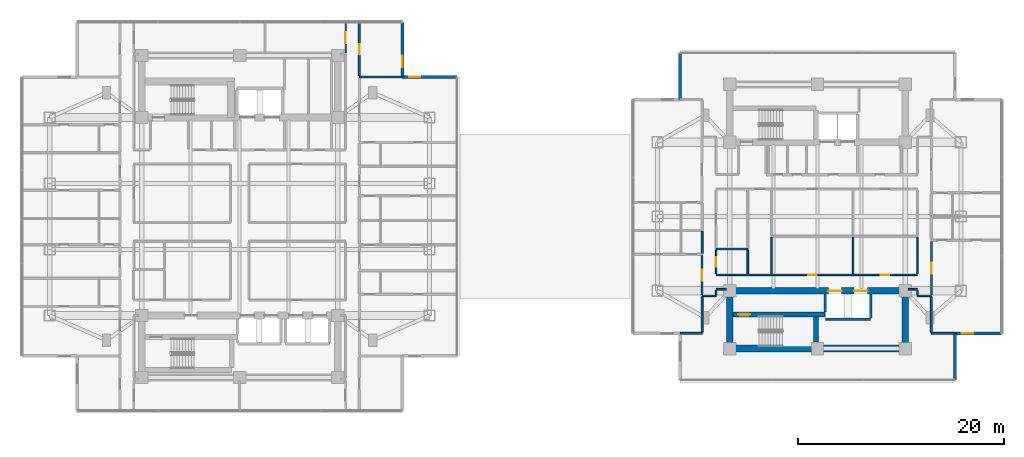
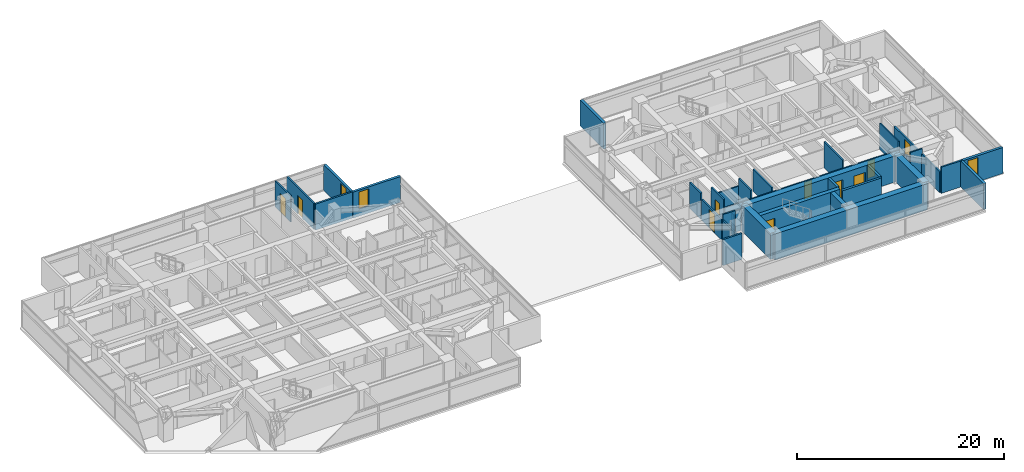
# One storey, part 17 of 26: 37 walls, 10 doors, 3 windows, 13 openings.
"""IFC4 building model written with IfcOpenShell, lengths in metres."""

import ifcopenshell
import ifcopenshell.guid

model = None  # the IFC model being written
_history = None  # IfcOwnerHistory: only IFC2X3 demands one
_inside = {}  # id of a spatial element -> (the spatial element, [elements in it])
_under = {}  # id of a project, library or spatial element -> (it, [spatial elements below it])
_declared = {}  # id of a project -> (the project, [libraries it declares])
_typed = {}  # id of a type object -> (the type object, [elements of that type])
_made_of = {}  # id of a material, layer set ... -> (it, [elements and type objects made of it])


def new_model(schema):
    """Start an empty IFC model of exactly this schema.

    Asked for "IFC4X3", IfcOpenShell would pick the latest addendum, in which some entities
    have other attributes; the version numbers below select the first issue.
    IFC2X3 requires an IfcOwnerHistory on every rooted entity: one is made here for all.
    """
    global model, _history
    if schema == "IFC4X3":
        model = ifcopenshell.file(schema_version=(4, 3, 0, 0))
    else:
        model = ifcopenshell.file(schema=schema)
    _inside.clear()
    _under.clear()
    _declared.clear()
    _typed.clear()
    _made_of.clear()
    _history = None
    if model.schema == "IFC2X3":
        org = make("IfcOrganization", Name="unknown")
        user = make(
            "IfcPersonAndOrganization",
            ThePerson=make("IfcPerson", FamilyName="unknown"),
            TheOrganization=org,
        )
        app = make(
            "IfcApplication",
            ApplicationDeveloper=org,
            Version="unknown",
            ApplicationFullName="unknown",
            ApplicationIdentifier="unknown",
        )
        _history = make(
            "IfcOwnerHistory",
            OwningUser=user,
            OwningApplication=app,
            ChangeAction="ADDED",
            CreationDate=0,
        )
    return model


def make(cls, **values):
    """One entity of the class cls with the attributes given. An attribute that is None is left unset."""
    return model.create_entity(
        cls, **{name: value for name, value in values.items() if value is not None}
    )


def rooted(cls, **values):
    """An entity with a GlobalId (a new one), such as an element, a storey or a relation."""
    return make(cls, GlobalId=ifcopenshell.guid.new(), OwnerHistory=_history, **values)


def si_unit(unit_type, name, prefix=None):
    """IfcSIUnit, for example si_unit("LENGTHUNIT", "METRE", prefix="MILLI")."""
    return make("IfcSIUnit", UnitType=unit_type, Prefix=prefix, Name=name)


def assignment(units):
    """IfcUnitAssignment: the units of a project."""
    return None if units is None else make("IfcUnitAssignment", Units=units)


def point(xyz):
    """IfcCartesianPoint."""
    return None if xyz is None else make("IfcCartesianPoint", Coordinates=xyz)


def direction(xyz):
    """IfcDirection."""
    return None if xyz is None else make("IfcDirection", DirectionRatios=xyz)


def frame(location, z_axis=None, x_axis=None):
    """IfcAxis2Placement3D, a coordinate frame: its origin and axes. An axis left out is left unset."""
    return make(
        "IfcAxis2Placement3D",
        Location=point(location),
        Axis=direction(z_axis),
        RefDirection=direction(x_axis),
    )


def frame_2d(location, x_axis=None):
    """IfcAxis2Placement2D, a coordinate frame in the plane: its origin and x axis."""
    return make(
        "IfcAxis2Placement2D", Location=point(location), RefDirection=direction(x_axis)
    )


def origin():
    """The frame at (0, 0, 0) with its axes left unset."""
    return frame((0.0, 0.0, 0.0))


def place(relative_to, where):
    """IfcLocalPlacement: puts the frame where relative to a parent placement (None: the world)."""
    return make(
        "IfcLocalPlacement", PlacementRelTo=relative_to, RelativePlacement=where
    )


def context(
    kind, dimensions, precision=None, world=None, true_north=None, identifier=None
):
    """IfcGeometricRepresentationContext, for example the 3D "Model" context."""
    return make(
        "IfcGeometricRepresentationContext",
        ContextIdentifier=identifier,
        ContextType=kind,
        CoordinateSpaceDimension=dimensions,
        Precision=precision,
        WorldCoordinateSystem=world,
        TrueNorth=true_north,
    )


def subcontext(parent, identifier, kind, view, scale=None):
    """IfcGeometricRepresentationSubContext, for example "Body" below "Model"."""
    return make(
        "IfcGeometricRepresentationSubContext",
        ContextIdentifier=identifier,
        ContextType=kind,
        ParentContext=parent,
        TargetScale=scale,
        TargetView=view,
    )


def project(units=None, contexts=None):
    """IfcProject with its units and contexts."""
    return rooted(
        "IfcProject",
        Name="project",
        RepresentationContexts=contexts,
        UnitsInContext=assignment(units),
    )


def spatial(cls, under=None, at=None, **own):
    """A site, building, storey or space (cls), placed at a placement, below another one or the project."""
    s = rooted(cls, ObjectPlacement=at, **own)
    if under is not None:
        _under.setdefault(under.id(), (under, []))[1].append(s)
    return s


def profile(cls, at=None, kind="AREA", **sizes):
    """A parametric profile (cls). Its sizes go by their IFC names, for example OverallWidth=200.0."""
    return make(cls, ProfileType=kind, Position=at, **sizes)


def rectangle(**sizes):
    """IfcRectangleProfileDef."""
    return profile("IfcRectangleProfileDef", **sizes)


def extrude(swept, where, along, depth):
    """IfcExtrudedAreaSolid: the profile swept, set in the frame where, extruded along a direction by depth."""
    return make(
        "IfcExtrudedAreaSolid",
        SweptArea=swept,
        Position=where,
        ExtrudedDirection=direction(along),
        Depth=depth,
    )


def shape(context_of_items, identifier, shape_type, items):
    """IfcShapeRepresentation: the items that make up one representation, for example the "Body"."""
    return make(
        "IfcShapeRepresentation",
        ContextOfItems=context_of_items,
        RepresentationIdentifier=identifier,
        RepresentationType=shape_type,
        Items=items,
    )


def material(Name=None, Category=None):
    """IfcMaterial."""
    return make("IfcMaterial", Name=Name, Category=Category)


def layer(
    of_material, thickness, ventilated=None, Name=None, Category=None, Priority=None
):
    """IfcMaterialLayer: one layer of a wall or slab, of a material (None: an air gap)."""
    return make(
        "IfcMaterialLayer",
        Material=of_material,
        LayerThickness=thickness,
        IsVentilated=ventilated,
        Name=Name,
        Category=Category,
        Priority=Priority,
    )


def layer_set(layers, Name=None):
    """IfcMaterialLayerSet."""
    return make("IfcMaterialLayerSet", MaterialLayers=layers, LayerSetName=Name)


def made_of(thing, what):
    """Note that an element or type object is made of a material, layer set ...; save() writes the relation."""
    if what is not None:
        _made_of.setdefault(what.id(), (what, []))[1].append(thing)
    return thing


def type_object(cls, material=None, **own):
    """A type object (cls), such as IfcWallType, which elements share."""
    return made_of(rooted(cls, **own), material)


def element(
    cls,
    number,
    at=None,
    inside=None,
    cuts=None,
    type_object=None,
    material=None,
    context=None,
    identifier="Body",
    shape_type=None,
    held_by="IfcProductDefinitionShape",
    body=None,
    shapes=None,
    **own,
):
    """One element of the class cls, such as IfcWall. Its Tag is "e" and its number.

    at: its placement. inside: the storey or other place that contains it. cuts: it is an
    opening in that element (IfcRelVoidsElement). A single representation is given by context,
    identifier, shape_type and body (its items); several are given by shapes. held_by: the class
    of the entity that holds the representations. save() writes the other relations.
    """
    e = rooted(cls, Tag="e%d" % number, ObjectPlacement=at, **own)
    if body is not None:
        shapes = [shape(context, identifier, shape_type, body)]
    if shapes is not None:
        e.Representation = make(held_by, Representations=shapes)
    if inside is not None:
        _inside.setdefault(inside.id(), (inside, []))[1].append(e)
    if cuts is not None:
        rooted(
            "IfcRelVoidsElement", RelatingBuildingElement=cuts, RelatedOpeningElement=e
        )
    if type_object is not None:
        _typed.setdefault(type_object.id(), (type_object, []))[1].append(e)
    return made_of(e, material)


def fill(opening, filler):
    """IfcRelFillsElement: the door or window that sits in an opening."""
    return rooted(
        "IfcRelFillsElement",
        RelatingOpeningElement=opening,
        RelatedBuildingElement=filler,
    )


def aggregate(whole, parts):
    """IfcRelAggregates: a whole, such as a stair, and the parts it consists of."""
    return rooted("IfcRelAggregates", RelatingObject=whole, RelatedObjects=parts)


def save(model, path):
    """Write the relations noted so far, then the file.

    IfcRelAggregates (storeys below a building ...), IfcRelContainedInSpatialStructure (elements
    in a storey), IfcRelDefinesByType, IfcRelAssociatesMaterial and IfcRelDeclares: one each for
    every whole, place, type object, material and project.
    """
    for whole, parts in _under.values():
        aggregate(whole, parts)
    for where, things in _inside.values():
        rooted(
            "IfcRelContainedInSpatialStructure",
            RelatedElements=things,
            RelatingStructure=where,
        )
    for kind, things in _typed.values():
        rooted("IfcRelDefinesByType", RelatedObjects=things, RelatingType=kind)
    for what, things in _made_of.values():
        rooted("IfcRelAssociatesMaterial", RelatedObjects=things, RelatingMaterial=what)
    for by, libraries in _declared.values():
        rooted("IfcRelDeclares", RelatingContext=by, RelatedDefinitions=libraries)
    model.write(path)


model = new_model("IFC4")

# Units and contexts
model_context = context("Model", 3, precision=1e-05, world=origin(), true_north=direction((0.0, 1.0)))
body_context = subcontext(model_context, "Body", "Model", "MODEL_VIEW")
ifc_project = project(units=[si_unit("LENGTHUNIT", "METRE"), si_unit("AREAUNIT", "SQUARE_METRE"), si_unit("VOLUMEUNIT", "CUBIC_METRE"), si_unit("PLANEANGLEUNIT", "RADIAN"), si_unit("MASSUNIT", "GRAM", prefix="KILO")], contexts=[model_context])

# Site, building, storey
site_placement = place(None, origin())
site = spatial("IfcSite", under=ifc_project, at=site_placement, CompositionType="ELEMENT")
building_placement = place(site_placement, origin())
building = spatial("IfcBuilding", under=site, at=building_placement, Name="Mirazonda Arch Towers", CompositionType="ELEMENT")
storey_placement = place(building_placement, frame((0.0, 0.0, 98.300048828125)))
storey = spatial("IfcBuildingStorey", under=building, at=storey_placement, Name="L27", CompositionType="ELEMENT", Elevation=98.300048828125)

# Wall, opening, door
ifc_material_1 = material(Name="Concrete C50/60", Category="concrete")
ifc_layer_1 = layer(ifc_material_1, 0.449951171875, Name="WALL-CORE-450")
ifc_layer_set_1 = layer_set([ifc_layer_1], Name="Concrete C50/60")
wall_type_1 = type_object("IfcWallType", Name="WALL-CORE-450", PredefinedType="SHEAR", material=ifc_layer_set_1)
wall_1_placement = place(storey_placement, frame((68.320068359375, 18.5, 0.0), z_axis=(0.0, 0.0, 1.0), x_axis=(1.0, 0.0, 0.0)))
wall_1 = element("IfcWall", 1, at=wall_1_placement, inside=storey, type_object=wall_type_1, Name="L27 Stair Core Shear Wall 014", PredefinedType="SHEAR", context=body_context, shape_type="SweptSolid", body=[
    extrude(rectangle(XDim=8.89990234375, YDim=0.449951171875, at=frame_2d((4.449951171875, 0.0))), origin(), (0.0, 0.0, 1.0), 3.079833984375),
])
opening_1_placement = place(wall_1_placement, frame((0.4951171875, 0.0, 0.0)))
opening_1 = element("IfcOpeningElement", 2, at=opening_1_placement, cuts=wall_1, Name="Opening DR-135", PredefinedType="OPENING", context=body_context, shape_type="SweptSolid", body=[
    extrude(rectangle(XDim=1.14990234375, YDim=2.199951171875, at=frame_2d((0.574951171875, 1.10009765625))), frame((0.0, 0.23486328125, 0.0), z_axis=(0.0, -1.0, 0.0), x_axis=(1.0, 0.0, 0.0)), (0.0, 0.0, 1.0), 0.469970703125),
])
ifc_material_2 = material(Name="Architectural Brushed Steel S355", Category="steel")
door_type_1 = type_object("IfcDoorType", Name="DOOR-STAIR-FD90-1150", OperationType="NOTDEFINED", PredefinedType="DOOR", material=ifc_material_2)
door_1_placement = place(opening_1_placement, origin())
door_1 = element("IfcDoor", 3, at=door_1_placement, inside=storey, type_object=door_type_1, Name="L27 East Protected Stair South Door", OperationType="SINGLE_SWING_LEFT", OverallHeight=2.199951171875, OverallWidth=1.14990234375, PredefinedType="DOOR", context=body_context, shape_type="SweptSolid", body=[
    extrude(rectangle(XDim=1.14990234375, YDim=2.199951171875, at=frame_2d((0.574951171875, 1.10009765625))), frame((0.0, 0.02490234375, 0.0), z_axis=(0.0, -1.0, 0.0), x_axis=(1.0, 0.0, 0.0)), (0.0, 0.0, 1.0), 0.050048828125),
])
fill(opening_1, door_1)

# Walls
wall_2_placement = place(storey_placement, frame((76.360107421875, 15.81494140625, 0.0), z_axis=(0.0, 0.0, 1.0), x_axis=(0.0, 1.0, 0.0)))
element("IfcWall", 4, at=wall_2_placement, inside=storey, type_object=wall_type_1, Name="L27 Stair Core Shear Wall 155", PredefinedType="SHEAR", context=body_context, shape_type="SweptSolid", body=[
    extrude(rectangle(XDim=2.449951171875, YDim=0.449951171875, at=frame_2d((1.22509765625, 0.0))), origin(), (0.0, 0.0, 1.0), 3.079833984375),
])
ifc_material_3 = material(Name="Concrete C60/75", Category="concrete")
ifc_layer_2 = layer(ifc_material_3, 0.64990234375, Name="WALL-CORE-650")
ifc_layer_set_2 = layer_set([ifc_layer_2], Name="Concrete C60/75")
wall_type_2 = type_object("IfcWallType", Name="WALL-CORE-650", PredefinedType="SHEAR", material=ifc_layer_set_2)
wall_3_placement = place(storey_placement, frame((68.0, 15.199951171875, 0.0), z_axis=(0.0, 0.0, 1.0), x_axis=(1.0, 0.0, 0.0)))
element("IfcWall", 5, at=wall_3_placement, inside=storey, type_object=wall_type_2, Name="L27 T2S-S Core Shear Wall", PredefinedType="SHEAR", context=body_context, shape_type="SweptSolid", body=[
    extrude(rectangle(XDim=17.0, YDim=0.64990234375, at=frame_2d((8.5, 0.0))), origin(), (0.0, 0.0, 1.0), 3.079833984375),
])
for number, where, z_axis, x_axis, name in (
    (6, (68.0, 15.199951171875, 0.0), (0.0, 0.0, 1.0), (0.0, 1.0, 0.0), "L27 T2S-W Core Shear Wall"),
    (7, (85.0, 15.199951171875, 0.0), (0.0, 0.0, 1.0), (0.0, 1.0, 0.0), "L27 T2S-E Core Shear Wall"),
):
    element("IfcWall", number, at=place(storey_placement, frame(where, z_axis=z_axis, x_axis=x_axis)), inside=storey, type_object=wall_type_2, Name=name, PredefinedType="SHEAR", context=body_context, shape_type="SweptSolid", body=[
        extrude(rectangle(XDim=5.60009765625, YDim=0.64990234375, at=frame_2d((2.800048828125, 0.0))), origin(), (0.0, 0.0, 1.0), 3.079833984375),
    ])

# Wall, openings, doors
wall_4_placement = place(storey_placement, frame((68.0, 20.800048828125, 0.0), z_axis=(0.0, 0.0, 1.0), x_axis=(1.0, 0.0, 0.0)))
wall_4 = element("IfcWall", 8, at=wall_4_placement, inside=storey, type_object=wall_type_2, Name="L27 T2S-N Core Shear Wall", PredefinedType="SHEAR", context=body_context, shape_type="SweptSolid", body=[
    extrude(rectangle(XDim=17.0, YDim=0.64990234375, at=frame_2d((8.5, 0.0))), origin(), (0.0, 0.0, 1.0), 3.079833984375),
])
opening_2_placement = place(wall_4_placement, frame((9.550048828125, 0.0, 0.0)))
opening_2 = element("IfcOpeningElement", 9, at=opening_2_placement, cuts=wall_4, Name="Opening LD-111", PredefinedType="OPENING", context=body_context, shape_type="SweptSolid", body=[
    extrude(rectangle(XDim=1.300048828125, YDim=2.300048828125, at=frame_2d((0.64990234375, 1.14990234375))), frame((0.0, 0.3349609375, 0.0), z_axis=(0.0, -1.0, 0.0), x_axis=(1.0, 0.0, 0.0)), (0.0, 0.0, 1.0), 0.669921875),
])
opening_3_placement = place(wall_4_placement, frame((12.050048828125, 0.0, 0.0)))
opening_3 = element("IfcOpeningElement", 10, at=opening_3_placement, cuts=wall_4, Name="Opening LD-111", PredefinedType="OPENING", context=body_context, shape_type="SweptSolid", body=[
    extrude(rectangle(XDim=1.300048828125, YDim=2.300048828125, at=frame_2d((0.64990234375, 1.14990234375))), frame((0.0, 0.3349609375, 0.0), z_axis=(0.0, -1.0, 0.0), x_axis=(1.0, 0.0, 0.0)), (0.0, 0.0, 1.0), 0.669921875),
])
door_type_2 = type_object("IfcDoorType", Name="DOOR-LIFT-LAND-1300", OperationType="NOTDEFINED", PredefinedType="DOOR", material=ifc_material_2)
door_2_placement = place(opening_2_placement, origin())
door_2 = element("IfcDoor", 11, at=door_2_placement, inside=storey, type_object=door_type_2, Name="L27 Lift Landing Sliding Door PL-T2H1", OperationType="DOUBLE_DOOR_SLIDING", OverallHeight=2.300048828125, OverallWidth=1.300048828125, PredefinedType="DOOR", context=body_context, shape_type="SweptSolid", body=[
    extrude(rectangle(XDim=1.300048828125, YDim=2.300048828125, at=frame_2d((0.64990234375, 1.14990234375))), frame((0.0, 0.02490234375, 0.0), z_axis=(0.0, -1.0, 0.0), x_axis=(1.0, 0.0, 0.0)), (0.0, 0.0, 1.0), 0.050048828125),
])
fill(opening_2, door_2)
door_3_placement = place(opening_3_placement, origin())
door_3 = element("IfcDoor", 12, at=door_3_placement, inside=storey, type_object=door_type_2, Name="L27 Lift Landing Sliding Door PL-T2H2", OperationType="DOUBLE_DOOR_SLIDING", OverallHeight=2.300048828125, OverallWidth=1.300048828125, PredefinedType="DOOR", context=body_context, shape_type="SweptSolid", body=[
    extrude(rectangle(XDim=1.300048828125, YDim=2.300048828125, at=frame_2d((0.64990234375, 1.14990234375))), frame((0.0, 0.02490234375, 0.0), z_axis=(0.0, -1.0, 0.0), x_axis=(1.0, 0.0, 0.0)), (0.0, 0.0, 1.0), 0.050048828125),
])
fill(opening_3, door_3)

# Wall, opening, window
ifc_material_4 = material(Name="Precast Concrete C40/50", Category="concrete")
ifc_layer_3 = layer(ifc_material_4, 0.280029296875, Name="WALL-EXT-WALL-280")
ifc_layer_set_3 = layer_set([ifc_layer_3], Name="Precast Concrete C40/50")
wall_type_3 = type_object("IfcWallType", Name="WALL-EXT-WALL-280", PredefinedType="SOLIDWALL", material=ifc_layer_set_3)
wall_5_placement = place(storey_placement, frame((36.264892578125, 41.51904296875, 0.0), z_axis=(0.0, 0.0, 1.0), x_axis=(0.0, 1.0, 0.0)))
wall_5 = element("IfcWall", 13, at=wall_5_placement, inside=storey, type_object=wall_type_3, Name="L27 T1 Notched NE Corner Wall WL-L27-T1-CNE", PredefinedType="SOLIDWALL", context=body_context, shape_type="SweptSolid", body=[
    extrude(rectangle(XDim=5.304931640625, YDim=0.280029296875, at=frame_2d((2.65234375, 0.0))), origin(), (0.0, 0.0, 1.0), 3.06005859375),
])
opening_4_placement = place(wall_5_placement, frame((0.949951171875, 0.0, 0.85009765625)))
opening_4 = element("IfcOpeningElement", 14, at=opening_4_placement, cuts=wall_5, Name="Opening WN-108", PredefinedType="OPENING", context=body_context, shape_type="SweptSolid", body=[
    extrude(rectangle(XDim=1.10009765625, YDim=2.0, at=frame_2d((0.550048828125, 1.0))), frame((0.0, 0.14990234375, 0.0), z_axis=(0.0, -1.0, 0.0), x_axis=(1.0, 0.0, 0.0)), (0.0, 0.0, 1.0), 0.300048828125),
])
ifc_material_5 = material(Name="Insulated Low-E Solar Glass", Category="glass")
window_type = type_object("IfcWindowType", Name="WIN-NOTCH-1100x2000", PartitioningType="SINGLE_PANEL", PredefinedType="WINDOW", material=ifc_material_5)
window_1_placement = place(opening_4_placement, origin())
window_1 = element("IfcWindow", 15, at=window_1_placement, inside=storey, type_object=window_type, Name="L27 Punched Facade Window WN-L27-T1-CNE", OverallHeight=2.0, OverallWidth=1.10009765625, PartitioningType="SINGLE_PANEL", PredefinedType="WINDOW", context=body_context, shape_type="SweptSolid", body=[
    extrude(rectangle(XDim=1.10009765625, YDim=2.0, at=frame_2d((0.550048828125, 1.0))), frame((0.0, 0.030029296875, 0.0), z_axis=(0.0, -1.0, 0.0), x_axis=(1.0, 0.0, 0.0)), (0.0, 0.0, 1.0), 0.06005859375),
])
fill(opening_4, window_1)

wall_6_placement = place(storey_placement, frame((41.570068359375, 41.51904296875, 0.0), z_axis=(0.0, 0.0, 1.0), x_axis=(-1.0, 0.0, 0.0)))
wall_6 = element("IfcWall", 16, at=wall_6_placement, inside=storey, type_object=wall_type_3, Name="L27 T1 Corner Notch Return Wall WL-L27-T1-CNE2", PredefinedType="SOLIDWALL", context=body_context, shape_type="SweptSolid", body=[
    extrude(rectangle(XDim=5.30517578125, YDim=0.280029296875, at=frame_2d((2.652587890625, 0.0))), origin(), (0.0, 0.0, 1.0), 3.06005859375),
])
opening_5_placement = place(wall_6_placement, frame((3.554931640625, 0.0, 0.85009765625)))
opening_5 = element("IfcOpeningElement", 17, at=opening_5_placement, cuts=wall_6, Name="Opening WN-108", PredefinedType="OPENING", context=body_context, shape_type="SweptSolid", body=[
    extrude(rectangle(XDim=1.10009765625, YDim=2.0, at=frame_2d((0.550048828125, 1.0))), frame((0.0, 0.14990234375, 0.0), z_axis=(0.0, -1.0, 0.0), x_axis=(1.0, 0.0, 0.0)), (0.0, 0.0, 1.0), 0.300048828125),
])
window_2_placement = place(opening_5_placement, origin())
window_2 = element("IfcWindow", 18, at=window_2_placement, inside=storey, type_object=window_type, Name="L27 Punched Facade Window WN-L27-T1-CNE2", OverallHeight=2.0, OverallWidth=1.10009765625, PartitioningType="SINGLE_PANEL", PredefinedType="WINDOW", context=body_context, shape_type="SweptSolid", body=[
    extrude(rectangle(XDim=1.10009765625, YDim=2.0, at=frame_2d((0.550048828125, 1.0))), frame((0.0, 0.030029296875, 0.0), z_axis=(0.0, -1.0, 0.0), x_axis=(1.0, 0.0, 0.0)), (0.0, 0.0, 1.0), 0.06005859375),
])
fill(opening_5, window_2)

wall_7_placement = place(storey_placement, frame((89.840087890625, 16.6689453125, 0.0), z_axis=(0.0, 0.0, 1.0), x_axis=(1.0, 0.0, 0.0)))
wall_7 = element("IfcWall", 19, at=wall_7_placement, inside=storey, type_object=wall_type_3, Name="L27 T2 Corner Notch Return Wall WL-L27-T2-CSE1", PredefinedType="SOLIDWALL", context=body_context, shape_type="SweptSolid", body=[
    extrude(rectangle(XDim=4.516357421875, YDim=0.280029296875, at=frame_2d((2.25830078125, 0.0))), origin(), (0.0, 0.0, 1.0), 3.06005859375),
])
opening_6_placement = place(wall_7_placement, frame((0.64990234375, 0.0, 0.85009765625)))
opening_6 = element("IfcOpeningElement", 20, at=opening_6_placement, cuts=wall_7, Name="Opening WN-108", PredefinedType="OPENING", context=body_context, shape_type="SweptSolid", body=[
    extrude(rectangle(XDim=1.10009765625, YDim=2.0, at=frame_2d((0.550048828125, 1.0))), frame((0.0, 0.14990234375, 0.0), z_axis=(0.0, -1.0, 0.0), x_axis=(1.0, 0.0, 0.0)), (0.0, 0.0, 1.0), 0.300048828125),
])
window_3_placement = place(opening_6_placement, origin())
window_3 = element("IfcWindow", 21, at=window_3_placement, inside=storey, type_object=window_type, Name="L27 Punched Facade Window WN-L27-T2-CSE1", OverallHeight=2.0, OverallWidth=1.10009765625, PartitioningType="SINGLE_PANEL", PredefinedType="WINDOW", context=body_context, shape_type="SweptSolid", body=[
    extrude(rectangle(XDim=1.10009765625, YDim=2.0, at=frame_2d((0.550048828125, 1.0))), frame((0.0, 0.030029296875, 0.0), z_axis=(0.0, -1.0, 0.0), x_axis=(1.0, 0.0, 0.0)), (0.0, 0.0, 1.0), 0.06005859375),
])
fill(opening_6, window_3)

# Walls
for number, where, z_axis, x_axis, name in (
    (22, (89.840087890625, 12.152587890625, 0.0), (0.0, 0.0, 1.0), (0.0, 1.0, 0.0), "L27 T2 Corner Notch Return Wall WL-L27-T2-CSE2"),
    (23, (63.159912109375, 43.847412109375, 0.0), (0.0, 0.0, 1.0), (0.0, -1.0, 0.0), "L27 T2 Corner Notch Return Wall WL-L27-T2-CNW2"),
):
    element("IfcWall", number, at=place(storey_placement, frame(where, z_axis=z_axis, x_axis=x_axis)), inside=storey, type_object=wall_type_3, Name=name, PredefinedType="SOLIDWALL", context=body_context, shape_type="SweptSolid", body=[
        extrude(rectangle(XDim=4.516357421875, YDim=0.280029296875, at=frame_2d((2.25830078125, 0.0))), origin(), (0.0, 0.0, 1.0), 3.06005859375),
    ])
ifc_material_6 = material(Name="Fire-Rated Gypsum Stud Partition")
ifc_layer_4 = layer(ifc_material_6, 0.14990234375, Name="WALL-PART-CORR-150")
ifc_layer_set_4 = layer_set([ifc_layer_4], Name="Fire-Rated Gypsum Stud Partition")
wall_type_4 = type_object("IfcWallType", Name="WALL-PART-CORR-150", PredefinedType="PARTITIONING", material=ifc_layer_set_4)
wall_8_placement = place(storey_placement, frame((65.320068359375, 20.300048828125, 0.0), z_axis=(0.0, 0.0, 1.0), x_axis=(1.0, 0.0, 0.0)))
element("IfcWall", 24, at=wall_8_placement, inside=storey, type_object=wall_type_4, Name="L27 Interior Partition 018", PredefinedType="PARTITIONING", context=body_context, shape_type="SweptSolid", body=[
    extrude(rectangle(XDim=1.35986328125, YDim=0.14990234375, at=frame_2d((0.679931640625, 0.0))), origin(), (0.0, 0.0, 1.0), 3.079833984375),
])
wall_9_placement = place(storey_placement, frame((86.179931640625, 20.300048828125, 0.0), z_axis=(0.0, 0.0, 1.0), x_axis=(1.0, 0.0, 0.0)))
element("IfcWall", 25, at=wall_9_placement, inside=storey, type_object=wall_type_4, Name="L27 Interior Partition 019", PredefinedType="PARTITIONING", context=body_context, shape_type="SweptSolid", body=[
    extrude(rectangle(XDim=1.360107421875, YDim=0.14990234375, at=frame_2d((0.68017578125, 0.0))), origin(), (0.0, 0.0, 1.0), 3.079833984375),
])
wall_10_placement = place(storey_placement, frame((66.679931640625, 20.949951171875, 0.0), z_axis=(0.0, 0.0, 1.0), x_axis=(1.0, 0.0, 0.0)))
element("IfcWall", 26, at=wall_10_placement, inside=storey, type_object=wall_type_4, Name="L27 Interior Partition 021", PredefinedType="PARTITIONING", context=body_context, shape_type="SweptSolid", body=[
    extrude(rectangle(XDim=1.0, YDim=0.14990234375, at=frame_2d((0.5, 0.0))), origin(), (0.0, 0.0, 1.0), 2.471923828125),
])
wall_11_placement = place(storey_placement, frame((85.320068359375, 20.949951171875, 0.0), z_axis=(0.0, 0.0, 1.0), x_axis=(1.0, 0.0, 0.0)))
element("IfcWall", 27, at=wall_11_placement, inside=storey, type_object=wall_type_4, Name="L27 Interior Partition 022", PredefinedType="PARTITIONING", context=body_context, shape_type="SweptSolid", body=[
    extrude(rectangle(XDim=0.85986328125, YDim=0.14990234375, at=frame_2d((0.429931640625, 0.0))), origin(), (0.0, 0.0, 1.0), 2.471923828125),
])

# Wall, openings, doors
wall_12_placement = place(storey_placement, frame((66.679931640625, 22.35009765625, 0.0), z_axis=(0.0, 0.0, 1.0), x_axis=(1.0, 0.0, 0.0)))
wall_12 = element("IfcWall", 28, at=wall_12_placement, inside=storey, type_object=wall_type_4, Name="L27 Interior Partition 024", PredefinedType="PARTITIONING", context=body_context, shape_type="SweptSolid", body=[
    extrude(rectangle(XDim=19.5, YDim=0.14990234375, at=frame_2d((9.75, 0.0))), origin(), (0.0, 0.0, 1.0), 2.14501953125),
])
opening_7_placement = place(wall_12_placement, frame((8.901611328125, 0.0, 0.0)))
opening_7 = element("IfcOpeningElement", 29, at=opening_7_placement, cuts=wall_12, Name="Opening DR-128", PredefinedType="OPENING", context=body_context, shape_type="SweptSolid", body=[
    extrude(rectangle(XDim=0.85009765625, YDim=2.010009765625, at=frame_2d((0.425048828125, 1.0048828125))), frame((0.0, 0.0849609375, 0.0), z_axis=(0.0, -1.0, 0.0), x_axis=(1.0, 0.0, 0.0)), (0.0, 0.0, 1.0), 0.169921875),
])
opening_8_placement = place(wall_12_placement, frame((15.946533203125, 0.0, 0.0)))
opening_8 = element("IfcOpeningElement", 30, at=opening_8_placement, cuts=wall_12, Name="Opening DR-128", PredefinedType="OPENING", context=body_context, shape_type="SweptSolid", body=[
    extrude(rectangle(XDim=0.85009765625, YDim=2.010009765625, at=frame_2d((0.425048828125, 1.0048828125))), frame((0.0, 0.0849609375, 0.0), z_axis=(0.0, -1.0, 0.0), x_axis=(1.0, 0.0, 0.0)), (0.0, 0.0, 1.0), 0.169921875),
])
door_type_3 = type_object("IfcDoorType", Name="DOOR-RISER-FD60-850", OperationType="NOTDEFINED", PredefinedType="DOOR", material=ifc_material_2)
door_4_placement = place(opening_7_placement, origin())
door_4 = element("IfcDoor", 31, at=door_4_placement, inside=storey, type_object=door_type_3, Name="L27 Executive Club Lounge Door", OperationType="SINGLE_SWING_LEFT", OverallHeight=2.010009765625, OverallWidth=0.85009765625, PredefinedType="DOOR", context=body_context, shape_type="SweptSolid", body=[
    extrude(rectangle(XDim=0.85009765625, YDim=2.010009765625, at=frame_2d((0.425048828125, 1.0048828125))), frame((0.0, 0.02490234375, 0.0), z_axis=(0.0, -1.0, 0.0), x_axis=(1.0, 0.0, 0.0)), (0.0, 0.0, 1.0), 0.050048828125),
])
fill(opening_7, door_4)
door_5_placement = place(opening_8_placement, origin())
door_5 = element("IfcDoor", 32, at=door_5_placement, inside=storey, type_object=door_type_3, Name="L27 Business Reading Study Door", OperationType="SINGLE_SWING_RIGHT", OverallHeight=2.010009765625, OverallWidth=0.85009765625, PredefinedType="DOOR", context=body_context, shape_type="SweptSolid", body=[
    extrude(rectangle(XDim=0.85009765625, YDim=2.010009765625, at=frame_2d((0.425048828125, 1.0048828125))), frame((0.0, 0.02490234375, 0.0), z_axis=(0.0, -1.0, 0.0), x_axis=(1.0, 0.0, 0.0)), (0.0, 0.0, 1.0), 0.050048828125),
])
fill(opening_8, door_5)

# Wall
wall_13_placement = place(storey_placement, frame((66.679931640625, 24.85009765625, 0.0), z_axis=(0.0, 0.0, 1.0), x_axis=(1.0, 0.0, 0.0)))
element("IfcWall", 33, at=wall_13_placement, inside=storey, type_object=wall_type_4, Name="L27 Interior Partition 028", PredefinedType="PARTITIONING", context=body_context, shape_type="SweptSolid", body=[
    extrude(rectangle(XDim=3.070068359375, YDim=0.14990234375, at=frame_2d((1.53515625, 0.0))), origin(), (0.0, 0.0, 1.0), 2.14501953125),
])

# Wall, opening, door
wall_14_placement = place(storey_placement, frame((30.760009765625, 43.8349609375, 0.0), z_axis=(0.0, 0.0, 1.0), x_axis=(0.0, 1.0, 0.0)))
wall_14 = element("IfcWall", 34, at=wall_14_placement, inside=storey, type_object=wall_type_4, Name="L27 Interior Partition 119", PredefinedType="PARTITIONING", context=body_context, shape_type="SweptSolid", body=[
    extrude(rectangle(XDim=2.989013671875, YDim=0.14990234375, at=frame_2d((1.49462890625, 0.0))), origin(), (0.0, 0.0, 1.0), 3.079833984375),
])
opening_9_placement = place(wall_14_placement, frame((0.969482421875, 0.0, 0.0)))
opening_9 = element("IfcOpeningElement", 35, at=opening_9_placement, cuts=wall_14, Name="Opening DR-121", PredefinedType="OPENING", context=body_context, shape_type="SweptSolid", body=[
    extrude(rectangle(XDim=1.050048828125, YDim=2.199951171875, at=frame_2d((0.52490234375, 1.10009765625))), frame((0.0, 0.0849609375, 0.0), z_axis=(0.0, -1.0, 0.0), x_axis=(1.0, 0.0, 0.0)), (0.0, 0.0, 1.0), 0.169921875),
])
door_type_4 = type_object("IfcDoorType", Name="DOOR-SUITE-FD60-1050", OperationType="NOTDEFINED", PredefinedType="DOOR", material=ifc_material_2)
door_6_placement = place(opening_9_placement, origin())
door_6 = element("IfcDoor", 36, at=door_6_placement, inside=storey, type_object=door_type_4, Name="L27 North Reading Salon East Door", OperationType="SINGLE_SWING_LEFT", OverallHeight=2.199951171875, OverallWidth=1.050048828125, PredefinedType="DOOR", context=body_context, shape_type="SweptSolid", body=[
    extrude(rectangle(XDim=1.050048828125, YDim=2.199951171875, at=frame_2d((0.52490234375, 1.10009765625))), frame((0.0, 0.02490234375, 0.0), z_axis=(0.0, -1.0, 0.0), x_axis=(1.0, 0.0, 0.0)), (0.0, 0.0, 1.0), 0.050048828125),
])
fill(opening_9, door_6)

# Wall
wall_15_placement = place(storey_placement, frame((66.679931640625, 20.385009765625, 0.0), z_axis=(0.0, 0.0, 1.0), x_axis=(0.0, 1.0, 0.0)))
element("IfcWall", 37, at=wall_15_placement, inside=storey, type_object=wall_type_4, Name="L27 Interior Partition 142", PredefinedType="PARTITIONING", context=body_context, shape_type="SweptSolid", body=[
    extrude(rectangle(XDim=0.47998046875, YDim=0.14990234375, at=frame_2d((0.239990234375, 0.0))), origin(), (0.0, 0.0, 1.0), 2.471923828125),
])

# Wall, opening, door
wall_16_placement = place(storey_placement, frame((66.679931640625, 22.43505859375, 0.0), z_axis=(0.0, 0.0, 1.0), x_axis=(0.0, 1.0, 0.0)))
wall_16 = element("IfcWall", 38, at=wall_16_placement, inside=storey, type_object=wall_type_4, Name="L27 Interior Partition 143", PredefinedType="PARTITIONING", context=body_context, shape_type="SweptSolid", body=[
    extrude(rectangle(XDim=2.329833984375, YDim=0.14990234375, at=frame_2d((1.1650390625, 0.0))), origin(), (0.0, 0.0, 1.0), 3.079833984375),
])
opening_10_placement = place(wall_16_placement, frame((0.715087890625, 0.0, 0.0)))
opening_10 = element("IfcOpeningElement", 39, at=opening_10_placement, cuts=wall_16, Name="Opening DR-120", PredefinedType="OPENING", context=body_context, shape_type="SweptSolid", body=[
    extrude(rectangle(XDim=0.89990234375, YDim=2.10009765625, at=frame_2d((0.449951171875, 1.050048828125))), frame((0.0, 0.0849609375, 0.0), z_axis=(0.0, -1.0, 0.0), x_axis=(1.0, 0.0, 0.0)), (0.0, 0.0, 1.0), 0.169921875),
])
door_type_5 = type_object("IfcDoorType", Name="DOOR-WC-900", OperationType="NOTDEFINED", PredefinedType="DOOR", material=ifc_material_2)
door_7_placement = place(opening_10_placement, origin())
door_7 = element("IfcDoor", 40, at=door_7_placement, inside=storey, type_object=door_type_5, Name="L27 Tower 2 Common Accessible WC Door", OperationType="SINGLE_SWING_RIGHT", OverallHeight=2.10009765625, OverallWidth=0.89990234375, PredefinedType="DOOR", context=body_context, shape_type="SweptSolid", body=[
    extrude(rectangle(XDim=0.89990234375, YDim=2.10009765625, at=frame_2d((0.449951171875, 1.050048828125))), frame((0.0, 0.02490234375, 0.0), z_axis=(0.0, -1.0, 0.0), x_axis=(1.0, 0.0, 0.0)), (0.0, 0.0, 1.0), 0.050048828125),
])
fill(opening_10, door_7)

# Walls
wall_17_placement = place(storey_placement, frame((69.743408203125, 22.43505859375, 0.0), z_axis=(0.0, 0.0, 1.0), x_axis=(0.0, 1.0, 0.0)))
element("IfcWall", 41, at=wall_17_placement, inside=storey, type_object=wall_type_4, Name="L27 Interior Partition 147", PredefinedType="PARTITIONING", context=body_context, shape_type="SweptSolid", body=[
    extrude(rectangle(XDim=2.329833984375, YDim=0.14990234375, at=frame_2d((1.1650390625, 0.0))), origin(), (0.0, 0.0, 1.0), 3.079833984375),
])
wall_18_placement = place(storey_placement, frame((72.050048828125, 22.43505859375, 0.0), z_axis=(0.0, 0.0, 1.0), x_axis=(0.0, 1.0, 0.0)))
element("IfcWall", 42, at=wall_18_placement, inside=storey, type_object=wall_type_4, Name="L27 Interior Partition 151", PredefinedType="PARTITIONING", context=body_context, shape_type="SweptSolid", body=[
    extrude(rectangle(XDim=3.56494140625, YDim=0.14990234375, at=frame_2d((1.782470703125, 0.0))), origin(), (0.0, 0.0, 1.0), 2.60888671875),
])
wall_19_placement = place(storey_placement, frame((79.962890625, 22.43505859375, 0.0), z_axis=(0.0, 0.0, 1.0), x_axis=(0.0, 1.0, 0.0)))
element("IfcWall", 43, at=wall_19_placement, inside=storey, type_object=wall_type_4, Name="L27 Interior Partition 158", PredefinedType="PARTITIONING", context=body_context, shape_type="SweptSolid", body=[
    extrude(rectangle(XDim=3.56494140625, YDim=0.14990234375, at=frame_2d((1.782470703125, 0.0))), origin(), (0.0, 0.0, 1.0), 3.079833984375),
])
wall_20_placement = place(storey_placement, frame((86.179931640625, 20.385009765625, 0.0), z_axis=(0.0, 0.0, 1.0), x_axis=(0.0, 1.0, 0.0)))
element("IfcWall", 44, at=wall_20_placement, inside=storey, type_object=wall_type_4, Name="L27 Interior Partition 165", PredefinedType="PARTITIONING", context=body_context, shape_type="SweptSolid", body=[
    extrude(rectangle(XDim=0.47998046875, YDim=0.14990234375, at=frame_2d((0.239990234375, 0.0))), origin(), (0.0, 0.0, 1.0), 2.471923828125),
])
wall_21_placement = place(storey_placement, frame((86.179931640625, 22.43505859375, 0.0), z_axis=(0.0, 0.0, 1.0), x_axis=(0.0, 1.0, 0.0)))
element("IfcWall", 45, at=wall_21_placement, inside=storey, type_object=wall_type_4, Name="L27 Interior Partition 166", PredefinedType="PARTITIONING", context=body_context, shape_type="SweptSolid", body=[
    extrude(rectangle(XDim=3.56494140625, YDim=0.14990234375, at=frame_2d((1.782470703125, 0.0))), origin(), (0.0, 0.0, 1.0), 3.079833984375),
])
ifc_material_7 = material(Name="Fire-Rated Gypsum Twin-Stud Assembly")
ifc_layer_5 = layer(ifc_material_7, 0.179931640625, Name="WALL-PART-DEMISE-180")
ifc_layer_set_5 = layer_set([ifc_layer_5], Name="Fire-Rated Gypsum Twin-Stud Assembly")
wall_type_5 = type_object("IfcWallType", Name="WALL-PART-DEMISE-180", PredefinedType="PARTITIONING", material=ifc_layer_set_5)
wall_22_placement = place(storey_placement, frame((63.1796875, 16.6689453125, 0.0), z_axis=(0.0, 0.0, 1.0), x_axis=(1.0, 0.0, 0.0)))
element("IfcWall", 46, at=wall_22_placement, inside=storey, type_object=wall_type_5, Name="L27 Interior Partition 009", PredefinedType="PARTITIONING", context=body_context, shape_type="SweptSolid", body=[
    extrude(rectangle(XDim=2.140380859375, YDim=0.179931640625, at=frame_2d((1.0703125, 0.0))), origin(), (0.0, 0.0, 1.0), 3.079833984375),
])
wall_23_placement = place(storey_placement, frame((87.5400390625, 16.6689453125, 0.0), z_axis=(0.0, 0.0, 1.0), x_axis=(1.0, 0.0, 0.0)))
element("IfcWall", 47, at=wall_23_placement, inside=storey, type_object=wall_type_5, Name="L27 Interior Partition 010", PredefinedType="PARTITIONING", context=body_context, shape_type="SweptSolid", body=[
    extrude(rectangle(XDim=2.2802734375, YDim=0.179931640625, at=frame_2d((1.14013671875, 0.0))), origin(), (0.0, 0.0, 1.0), 3.079833984375),
])
wall_24_placement = place(storey_placement, frame((32.10009765625, 41.51904296875, 0.0), z_axis=(0.0, 0.0, 1.0), x_axis=(1.0, 0.0, 0.0)))
element("IfcWall", 48, at=wall_24_placement, inside=storey, type_object=wall_type_5, Name="L27 Interior Partition 064", PredefinedType="PARTITIONING", context=body_context, shape_type="SweptSolid", body=[
    extrude(rectangle(XDim=4.14501953125, YDim=0.179931640625, at=frame_2d((2.072509765625, 0.0))), origin(), (0.0, 0.0, 1.0), 3.079833984375),
])

# Wall, opening, door
wall_25_placement = place(storey_placement, frame((32.10009765625, 41.618896484375, 0.0), z_axis=(0.0, 0.0, 1.0), x_axis=(0.0, 1.0, 0.0)))
wall_25 = element("IfcWall", 49, at=wall_25_placement, inside=storey, type_object=wall_type_5, Name="L27 Interior Partition 129", PredefinedType="PARTITIONING", context=body_context, shape_type="SweptSolid", body=[
    extrude(rectangle(XDim=5.205078125, YDim=0.179931640625, at=frame_2d((2.6025390625, 0.0))), origin(), (0.0, 0.0, 1.0), 3.079833984375),
])
opening_11_placement = place(wall_25_placement, frame((2.12744140625, 0.0, 0.0)))
opening_11 = element("IfcOpeningElement", 50, at=opening_11_placement, cuts=wall_25, Name="Opening DR-104", PredefinedType="OPENING", context=body_context, shape_type="SweptSolid", body=[
    extrude(rectangle(XDim=0.949951171875, YDim=2.14990234375, at=frame_2d((0.47509765625, 1.074951171875))), frame((0.0, 0.099853515625, 0.0), z_axis=(0.0, -1.0, 0.0), x_axis=(1.0, 0.0, 0.0)), (0.0, 0.0, 1.0), 0.199951171875),
])
door_type_6 = type_object("IfcDoorType", Name="DOOR-ROOM-950", OperationType="NOTDEFINED", PredefinedType="DOOR", material=ifc_material_2)
door_8_placement = place(opening_11_placement, origin())
door_8 = element("IfcDoor", 51, at=door_8_placement, inside=storey, type_object=door_type_6, Name="L27 North Reading Salon Alcove East Door", OperationType="SINGLE_SWING_LEFT", OverallHeight=2.14990234375, OverallWidth=0.949951171875, PredefinedType="DOOR", context=body_context, shape_type="SweptSolid", body=[
    extrude(rectangle(XDim=0.949951171875, YDim=2.14990234375, at=frame_2d((0.47509765625, 1.074951171875))), frame((0.0, 0.02490234375, 0.0), z_axis=(0.0, -1.0, 0.0), x_axis=(1.0, 0.0, 0.0)), (0.0, 0.0, 1.0), 0.050048828125),
])
fill(opening_11, door_8)

# Wall
wall_26_placement = place(storey_placement, frame((65.320068359375, 16.76904296875, 0.0), z_axis=(0.0, 0.0, 1.0), x_axis=(0.0, 1.0, 0.0)))
element("IfcWall", 52, at=wall_26_placement, inside=storey, type_object=wall_type_5, Name="L27 Interior Partition 136", PredefinedType="PARTITIONING", context=body_context, shape_type="SweptSolid", body=[
    extrude(rectangle(XDim=3.446044921875, YDim=0.179931640625, at=frame_2d((1.72314453125, 0.0))), origin(), (0.0, 0.0, 1.0), 2.4560546875),
])

# Wall, opening, door
wall_27_placement = place(storey_placement, frame((65.320068359375, 20.385009765625, 0.0), z_axis=(0.0, 0.0, 1.0), x_axis=(0.0, 1.0, 0.0)))
wall_27 = element("IfcWall", 53, at=wall_27_placement, inside=storey, type_object=wall_type_5, Name="L27 Interior Partition 137", PredefinedType="PARTITIONING", context=body_context, shape_type="SweptSolid", body=[
    extrude(rectangle(XDim=3.846923828125, YDim=0.179931640625, at=frame_2d((1.92333984375, 0.0))), origin(), (0.0, 0.0, 1.0), 2.471923828125),
])
opening_12_placement = place(wall_27_placement, frame((1.3984375, 0.0, 0.0)))
opening_12 = element("IfcOpeningElement", 54, at=opening_12_placement, cuts=wall_27, Name="Opening DR-121", PredefinedType="OPENING", context=body_context, shape_type="SweptSolid", body=[
    extrude(rectangle(XDim=1.050048828125, YDim=2.199951171875, at=frame_2d((0.52490234375, 1.10009765625))), frame((0.0, 0.099853515625, 0.0), z_axis=(0.0, -1.0, 0.0), x_axis=(1.0, 0.0, 0.0)), (0.0, 0.0, 1.0), 0.199951171875),
])
door_9_placement = place(opening_12_placement, origin())
door_9 = element("IfcDoor", 55, at=door_9_placement, inside=storey, type_object=door_type_4, Name="L27 Panoramic Suite Salon 1 Door", OperationType="SINGLE_SWING_LEFT", OverallHeight=2.199951171875, OverallWidth=1.050048828125, PredefinedType="DOOR", context=body_context, shape_type="SweptSolid", body=[
    extrude(rectangle(XDim=1.050048828125, YDim=2.199951171875, at=frame_2d((0.52490234375, 1.10009765625))), frame((0.0, 0.02490234375, 0.0), z_axis=(0.0, -1.0, 0.0), x_axis=(1.0, 0.0, 0.0)), (0.0, 0.0, 1.0), 0.050048828125),
])
fill(opening_12, door_9)

# Walls
wall_28_placement = place(storey_placement, frame((65.320068359375, 24.431884765625, 0.0), z_axis=(0.0, 0.0, 1.0), x_axis=(0.0, 1.0, 0.0)))
element("IfcWall", 56, at=wall_28_placement, inside=storey, type_object=wall_type_5, Name="L27 Interior Partition 138", PredefinedType="PARTITIONING", context=body_context, shape_type="SweptSolid", body=[
    extrude(rectangle(XDim=2.127685546875, YDim=0.179931640625, at=frame_2d((1.06396484375, 0.0))), origin(), (0.0, 0.0, 1.0), 3.079833984375),
])
wall_29_placement = place(storey_placement, frame((87.5400390625, 16.76904296875, 0.0), z_axis=(0.0, 0.0, 1.0), x_axis=(0.0, 1.0, 0.0)))
element("IfcWall", 57, at=wall_29_placement, inside=storey, type_object=wall_type_5, Name="L27 Interior Partition 169", PredefinedType="PARTITIONING", context=body_context, shape_type="SweptSolid", body=[
    extrude(rectangle(XDim=3.446044921875, YDim=0.179931640625, at=frame_2d((1.72314453125, 0.0))), origin(), (0.0, 0.0, 1.0), 2.4560546875),
])

# Wall, opening, door
wall_30_placement = place(storey_placement, frame((87.5400390625, 20.385009765625, 0.0), z_axis=(0.0, 0.0, 1.0), x_axis=(0.0, 1.0, 0.0)))
wall_30 = element("IfcWall", 58, at=wall_30_placement, inside=storey, type_object=wall_type_5, Name="L27 Interior Partition 170", PredefinedType="PARTITIONING", context=body_context, shape_type="SweptSolid", body=[
    extrude(rectangle(XDim=5.215087890625, YDim=0.179931640625, at=frame_2d((2.607421875, 0.0))), origin(), (0.0, 0.0, 1.0), 2.471923828125),
])
opening_13_placement = place(wall_30_placement, frame((2.08251953125, 0.0, 0.0)))
opening_13 = element("IfcOpeningElement", 59, at=opening_13_placement, cuts=wall_30, Name="Opening DR-121", PredefinedType="OPENING", context=body_context, shape_type="SweptSolid", body=[
    extrude(rectangle(XDim=1.050048828125, YDim=2.199951171875, at=frame_2d((0.52490234375, 1.10009765625))), frame((0.0, 0.099853515625, 0.0), z_axis=(0.0, -1.0, 0.0), x_axis=(1.0, 0.0, 0.0)), (0.0, 0.0, 1.0), 0.199951171875),
])
door_10_placement = place(opening_13_placement, origin())
door_10 = element("IfcDoor", 60, at=door_10_placement, inside=storey, type_object=door_type_4, Name="L27 King Hotel Guestroom 1 Door", OperationType="SINGLE_SWING_LEFT", OverallHeight=2.199951171875, OverallWidth=1.050048828125, PredefinedType="DOOR", context=body_context, shape_type="SweptSolid", body=[
    extrude(rectangle(XDim=1.050048828125, YDim=2.199951171875, at=frame_2d((0.52490234375, 1.10009765625))), frame((0.0, 0.02490234375, 0.0), z_axis=(0.0, -1.0, 0.0), x_axis=(1.0, 0.0, 0.0)), (0.0, 0.0, 1.0), 0.050048828125),
])
fill(opening_13, door_10)

# Walls
ifc_material_8 = material(Name="Concrete C40/50", Category="concrete")
ifc_layer_6 = layer(ifc_material_8, 0.25, Name="WALL-SHAFT-250")
ifc_layer_set_6 = layer_set([ifc_layer_6], Name="Concrete C40/50")
wall_type_6 = type_object("IfcWallType", Name="WALL-SHAFT-250", PredefinedType="SOLIDWALL", material=ifc_layer_set_6)
wall_31_placement = place(storey_placement, frame((77.300048828125, 18.050048828125, 0.0), z_axis=(0.0, 0.0, 1.0), x_axis=(1.0, 0.0, 0.0)))
element("IfcWall", 61, at=wall_31_placement, inside=storey, type_object=wall_type_6, Name="L27 Interior Partition 011", PredefinedType="SOLIDWALL", context=body_context, shape_type="SweptSolid", body=[
    extrude(rectangle(XDim=4.349853515625, YDim=0.25, at=frame_2d((2.1748046875, 0.0))), origin(), (0.0, 0.0, 1.0), 3.079833984375),
])
wall_32_placement = place(storey_placement, frame((77.260009765625, 18.735107421875, 0.0), z_axis=(0.0, 0.0, 1.0), x_axis=(0.0, 1.0, 0.0)))
element("IfcWall", 62, at=wall_32_placement, inside=storey, type_object=wall_type_6, Name="L27 Interior Partition 157", PredefinedType="SOLIDWALL", context=body_context, shape_type="SweptSolid", body=[
    extrude(rectangle(XDim=1.744873046875, YDim=0.25, at=frame_2d((0.87255859375, 0.0))), origin(), (0.0, 0.0, 1.0), 3.079833984375),
])
wall_33_placement = place(storey_placement, frame((81.64990234375, 18.18505859375, 0.0), z_axis=(0.0, 0.0, 1.0), x_axis=(0.0, 1.0, 0.0)))
element("IfcWall", 63, at=wall_33_placement, inside=storey, type_object=wall_type_6, Name="L27 Interior Partition 163", PredefinedType="SOLIDWALL", context=body_context, shape_type="SweptSolid", body=[
    extrude(rectangle(XDim=2.294921875, YDim=0.25, at=frame_2d((1.1474609375, 0.0))), origin(), (0.0, 0.0, 1.0), 3.079833984375),
])

save(model, "model.ifc")
